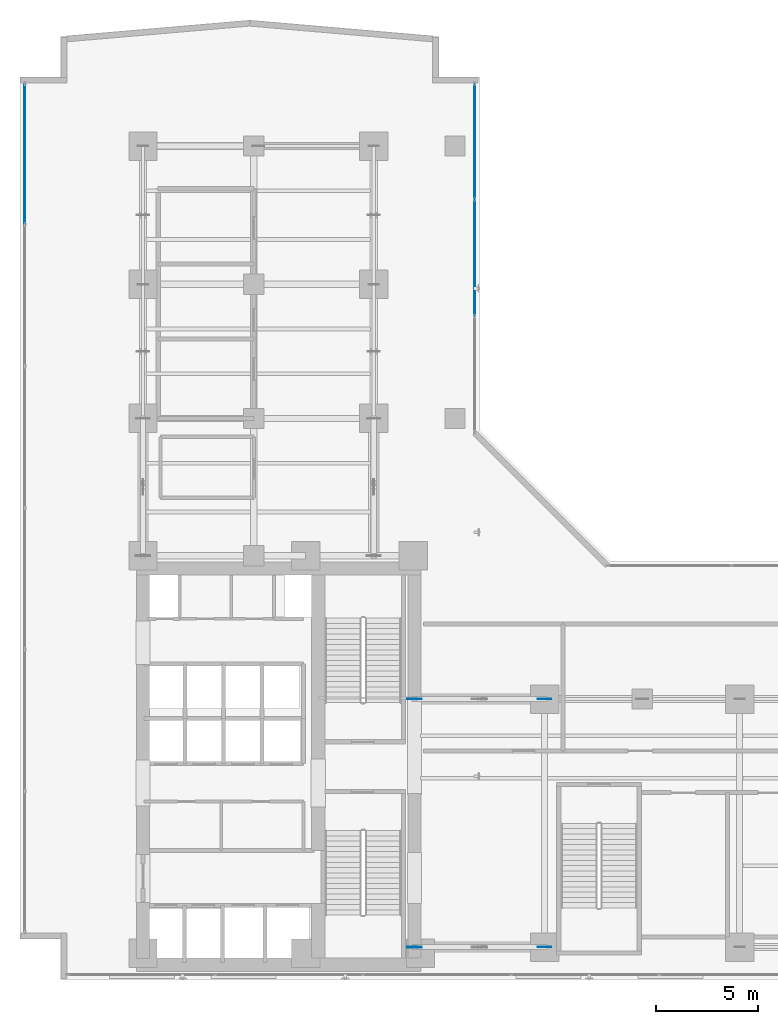
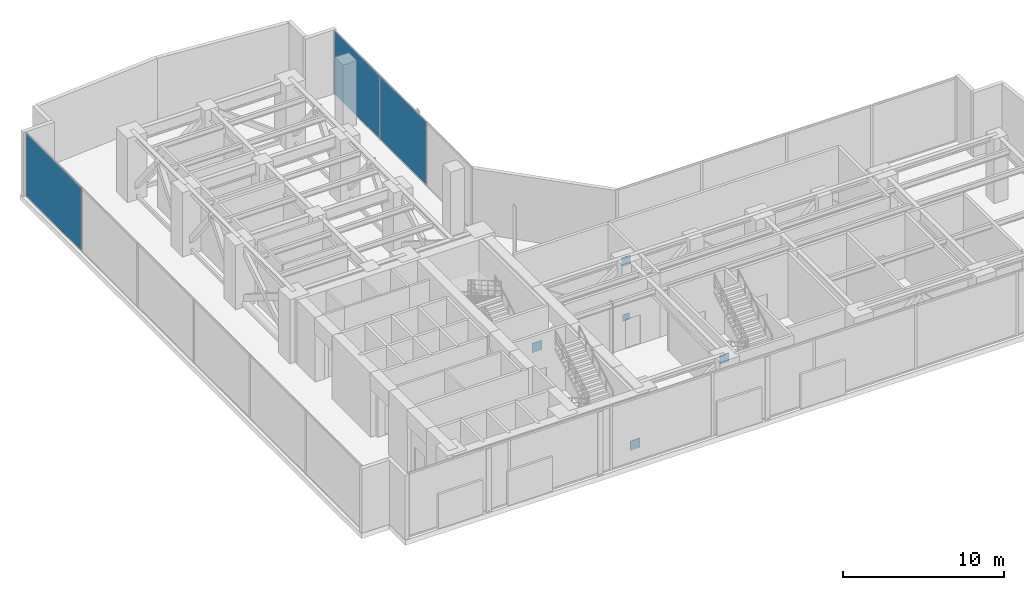
# One storey, part 28 of 37: 8 plates, 2 elements without a shape of their own.
"""IFC4 building model written with IfcOpenShell, lengths in metres."""

import ifcopenshell
import ifcopenshell.guid

model = None  # the IFC model being written
_history = None  # IfcOwnerHistory: only IFC2X3 demands one
_inside = {}  # id of a spatial element -> (the spatial element, [elements in it])
_under = {}  # id of a project, library or spatial element -> (it, [spatial elements below it])
_declared = {}  # id of a project -> (the project, [libraries it declares])
_typed = {}  # id of a type object -> (the type object, [elements of that type])
_made_of = {}  # id of a material, layer set ... -> (it, [elements and type objects made of it])


def new_model(schema):
    """Start an empty IFC model of exactly this schema.

    Asked for "IFC4X3", IfcOpenShell would pick the latest addendum, in which some entities
    have other attributes; the version numbers below select the first issue.
    IFC2X3 requires an IfcOwnerHistory on every rooted entity: one is made here for all.
    """
    global model, _history
    if schema == "IFC4X3":
        model = ifcopenshell.file(schema_version=(4, 3, 0, 0))
    else:
        model = ifcopenshell.file(schema=schema)
    _inside.clear()
    _under.clear()
    _declared.clear()
    _typed.clear()
    _made_of.clear()
    _history = None
    if model.schema == "IFC2X3":
        org = make("IfcOrganization", Name="unknown")
        user = make(
            "IfcPersonAndOrganization",
            ThePerson=make("IfcPerson", FamilyName="unknown"),
            TheOrganization=org,
        )
        app = make(
            "IfcApplication",
            ApplicationDeveloper=org,
            Version="unknown",
            ApplicationFullName="unknown",
            ApplicationIdentifier="unknown",
        )
        _history = make(
            "IfcOwnerHistory",
            OwningUser=user,
            OwningApplication=app,
            ChangeAction="ADDED",
            CreationDate=0,
        )
    return model


def make(cls, **values):
    """One entity of the class cls with the attributes given. An attribute that is None is left unset."""
    return model.create_entity(
        cls, **{name: value for name, value in values.items() if value is not None}
    )


def rooted(cls, **values):
    """An entity with a GlobalId (a new one), such as an element, a storey or a relation."""
    return make(cls, GlobalId=ifcopenshell.guid.new(), OwnerHistory=_history, **values)


def si_unit(unit_type, name, prefix=None):
    """IfcSIUnit, for example si_unit("LENGTHUNIT", "METRE", prefix="MILLI")."""
    return make("IfcSIUnit", UnitType=unit_type, Prefix=prefix, Name=name)


def assignment(units):
    """IfcUnitAssignment: the units of a project."""
    return None if units is None else make("IfcUnitAssignment", Units=units)


def point(xyz):
    """IfcCartesianPoint."""
    return None if xyz is None else make("IfcCartesianPoint", Coordinates=xyz)


def direction(xyz):
    """IfcDirection."""
    return None if xyz is None else make("IfcDirection", DirectionRatios=xyz)


def frame(location, z_axis=None, x_axis=None):
    """IfcAxis2Placement3D, a coordinate frame: its origin and axes. An axis left out is left unset."""
    return make(
        "IfcAxis2Placement3D",
        Location=point(location),
        Axis=direction(z_axis),
        RefDirection=direction(x_axis),
    )


def frame_2d(location, x_axis=None):
    """IfcAxis2Placement2D, a coordinate frame in the plane: its origin and x axis."""
    return make(
        "IfcAxis2Placement2D", Location=point(location), RefDirection=direction(x_axis)
    )


def origin():
    """The frame at (0, 0, 0) with its axes left unset."""
    return frame((0.0, 0.0, 0.0))


def origin_with_axes():
    """The frame at (0, 0, 0) with the z axis (0, 0, 1) and the x axis (1, 0, 0) written out."""
    return frame((0.0, 0.0, 0.0), z_axis=(0.0, 0.0, 1.0), x_axis=(1.0, 0.0, 0.0))


def origin_2d():
    """The frame at (0, 0) in the plane with its x axis left unset."""
    return frame_2d((0.0, 0.0))


def place(relative_to, where):
    """IfcLocalPlacement: puts the frame where relative to a parent placement (None: the world)."""
    return make(
        "IfcLocalPlacement", PlacementRelTo=relative_to, RelativePlacement=where
    )


def context(
    kind, dimensions, precision=None, world=None, true_north=None, identifier=None
):
    """IfcGeometricRepresentationContext, for example the 3D "Model" context."""
    return make(
        "IfcGeometricRepresentationContext",
        ContextIdentifier=identifier,
        ContextType=kind,
        CoordinateSpaceDimension=dimensions,
        Precision=precision,
        WorldCoordinateSystem=world,
        TrueNorth=true_north,
    )


def subcontext(parent, identifier, kind, view, scale=None):
    """IfcGeometricRepresentationSubContext, for example "Body" below "Model"."""
    return make(
        "IfcGeometricRepresentationSubContext",
        ContextIdentifier=identifier,
        ContextType=kind,
        ParentContext=parent,
        TargetScale=scale,
        TargetView=view,
    )


def project(units=None, contexts=None):
    """IfcProject with its units and contexts."""
    return rooted(
        "IfcProject",
        Name="project",
        RepresentationContexts=contexts,
        UnitsInContext=assignment(units),
    )


def spatial(cls, under=None, at=None, **own):
    """A site, building, storey or space (cls), placed at a placement, below another one or the project."""
    s = rooted(cls, ObjectPlacement=at, **own)
    if under is not None:
        _under.setdefault(under.id(), (under, []))[1].append(s)
    return s


def profile(cls, at=None, kind="AREA", **sizes):
    """A parametric profile (cls). Its sizes go by their IFC names, for example OverallWidth=200.0."""
    return make(cls, ProfileType=kind, Position=at, **sizes)


def rectangle(**sizes):
    """IfcRectangleProfileDef."""
    return profile("IfcRectangleProfileDef", **sizes)


def extrude(swept, where, along, depth):
    """IfcExtrudedAreaSolid: the profile swept, set in the frame where, extruded along a direction by depth."""
    return make(
        "IfcExtrudedAreaSolid",
        SweptArea=swept,
        Position=where,
        ExtrudedDirection=direction(along),
        Depth=depth,
    )


def shape(context_of_items, identifier, shape_type, items):
    """IfcShapeRepresentation: the items that make up one representation, for example the "Body"."""
    return make(
        "IfcShapeRepresentation",
        ContextOfItems=context_of_items,
        RepresentationIdentifier=identifier,
        RepresentationType=shape_type,
        Items=items,
    )


def source(mapping_origin, context_of_items, identifier, shape_type, items):
    """IfcRepresentationMap: a shape defined once, which mapped items show again and again."""
    return make(
        "IfcRepresentationMap",
        MappingOrigin=mapping_origin,
        MappedRepresentation=shape(context_of_items, identifier, shape_type, items),
    )


def transform(
    local_origin,
    x_axis=None,
    y_axis=None,
    z_axis=None,
    scale=None,
    scale2=None,
    scale3=None,
    uniform=True,
):
    """IfcCartesianTransformationOperator3D, or its non-uniform kind. x_axis, y_axis, z_axis: its Axis1, 2, 3."""
    if uniform:
        return make(
            "IfcCartesianTransformationOperator3D",
            Axis1=direction(x_axis),
            Axis2=direction(y_axis),
            LocalOrigin=point(local_origin),
            Scale=scale,
            Axis3=direction(z_axis),
        )
    return make(
        "IfcCartesianTransformationOperator3DnonUniform",
        Axis1=direction(x_axis),
        Axis2=direction(y_axis),
        LocalOrigin=point(local_origin),
        Scale=scale,
        Axis3=direction(z_axis),
        Scale2=scale2,
        Scale3=scale3,
    )


def mapped(mapping_source, mapping_target):
    """IfcMappedItem: shows the shape of a source again, moved by a transform."""
    return make(
        "IfcMappedItem", MappingSource=mapping_source, MappingTarget=mapping_target
    )


def material(Name=None, Category=None):
    """IfcMaterial."""
    return make("IfcMaterial", Name=Name, Category=Category)


def layer(
    of_material, thickness, ventilated=None, Name=None, Category=None, Priority=None
):
    """IfcMaterialLayer: one layer of a wall or slab, of a material (None: an air gap)."""
    return make(
        "IfcMaterialLayer",
        Material=of_material,
        LayerThickness=thickness,
        IsVentilated=ventilated,
        Name=Name,
        Category=Category,
        Priority=Priority,
    )


def layer_set(layers, Name=None):
    """IfcMaterialLayerSet."""
    return make("IfcMaterialLayerSet", MaterialLayers=layers, LayerSetName=Name)


def made_of(thing, what):
    """Note that an element or type object is made of a material, layer set ...; save() writes the relation."""
    if what is not None:
        _made_of.setdefault(what.id(), (what, []))[1].append(thing)
    return thing


def type_object(cls, material=None, **own):
    """A type object (cls), such as IfcWallType, which elements share."""
    return made_of(rooted(cls, **own), material)


def element(
    cls,
    number,
    at=None,
    inside=None,
    cuts=None,
    type_object=None,
    material=None,
    context=None,
    identifier="Body",
    shape_type=None,
    held_by="IfcProductDefinitionShape",
    body=None,
    shapes=None,
    **own,
):
    """One element of the class cls, such as IfcWall. Its Tag is "e" and its number.

    at: its placement. inside: the storey or other place that contains it. cuts: it is an
    opening in that element (IfcRelVoidsElement). A single representation is given by context,
    identifier, shape_type and body (its items); several are given by shapes. held_by: the class
    of the entity that holds the representations. save() writes the other relations.
    """
    e = rooted(cls, Tag="e%d" % number, ObjectPlacement=at, **own)
    if body is not None:
        shapes = [shape(context, identifier, shape_type, body)]
    if shapes is not None:
        e.Representation = make(held_by, Representations=shapes)
    if inside is not None:
        _inside.setdefault(inside.id(), (inside, []))[1].append(e)
    if cuts is not None:
        rooted(
            "IfcRelVoidsElement", RelatingBuildingElement=cuts, RelatedOpeningElement=e
        )
    if type_object is not None:
        _typed.setdefault(type_object.id(), (type_object, []))[1].append(e)
    return made_of(e, material)


def aggregate(whole, parts):
    """IfcRelAggregates: a whole, such as a stair, and the parts it consists of."""
    return rooted("IfcRelAggregates", RelatingObject=whole, RelatedObjects=parts)


def save(model, path):
    """Write the relations noted so far, then the file.

    IfcRelAggregates (storeys below a building ...), IfcRelContainedInSpatialStructure (elements
    in a storey), IfcRelDefinesByType, IfcRelAssociatesMaterial and IfcRelDeclares: one each for
    every whole, place, type object, material and project.
    """
    for whole, parts in _under.values():
        aggregate(whole, parts)
    for where, things in _inside.values():
        rooted(
            "IfcRelContainedInSpatialStructure",
            RelatedElements=things,
            RelatingStructure=where,
        )
    for kind, things in _typed.values():
        rooted("IfcRelDefinesByType", RelatedObjects=things, RelatingType=kind)
    for what, things in _made_of.values():
        rooted("IfcRelAssociatesMaterial", RelatedObjects=things, RelatingMaterial=what)
    for by, libraries in _declared.values():
        rooted("IfcRelDeclares", RelatingContext=by, RelatedDefinitions=libraries)
    model.write(path)


model = new_model("IFC4")

# Units and contexts
model_context = context("Model", 3, precision=1e-05, world=origin(), true_north=direction((0.0, 1.0)))
body_context = subcontext(model_context, "Body", "Model", "MODEL_VIEW")
ifc_project = project(units=[si_unit("LENGTHUNIT", "METRE"), si_unit("AREAUNIT", "SQUARE_METRE"), si_unit("VOLUMEUNIT", "CUBIC_METRE"), si_unit("PLANEANGLEUNIT", "RADIAN"), si_unit("MASSUNIT", "GRAM", prefix="KILO")], contexts=[model_context])

# Site, building, storey
site_placement = place(None, origin())
site = spatial("IfcSite", under=ifc_project, at=site_placement, CompositionType="ELEMENT")
building_placement = place(site_placement, origin())
building = spatial("IfcBuilding", under=site, at=building_placement, Name="Kolvaren Waterfront Exchange", CompositionType="ELEMENT")
storey_placement = place(building_placement, frame((0.0, 0.0, 141.10009765625)))
storey = spatial("IfcBuildingStorey", under=building, at=storey_placement, Name="L36", CompositionType="ELEMENT", Elevation=141.10009765625)

# Plates
ifc_material_1 = material(Name="Steel S460", Category="steel")
ifc_layer_1 = layer(ifc_material_1, 0.044921875, Name="Steel S460")
ifc_layer_set_1 = layer_set([ifc_layer_1], Name="Steel S460")
plate_type_1 = type_object("IfcPlateType", Name="STR-PL-ON1", PredefinedType="USERDEFINED", material=ifc_layer_set_1)
shared_shape_1 = source(origin_with_axes(), body_context, "Body", "SweptSolid", [
    extrude(rectangle(XDim=0.699951171875, YDim=0.044921875, at=origin_2d()), origin(), (0.0, 0.0, 1.0), 0.699951171875),
])
for number, where, z_axis, x_axis, name in (
    (1, (20.800048828125, 5.199951171875, -0.10009765625), (0.0, 0.0, 1.0), (1.0, 0.0, 0.0), "L36 outrigger core gusset plate OA1"),
    (2, (20.800048828125, 17.39990234375, -0.10009765625), (0.0, 0.0, 1.0), (1.0, 0.0, 0.0), "L36 outrigger core gusset plate OA2"),
):
    element("IfcPlate", number, at=place(storey_placement, frame(where, z_axis=z_axis, x_axis=x_axis)), inside=storey, type_object=plate_type_1, Name=name, ObjectType="GUSSET PLATE", PredefinedType="USERDEFINED", context=body_context, shape_type="MappedRepresentation", body=[
        mapped(shared_shape_1, transform((0.0, 0.0, 0.0), x_axis=(1.0, 0.0, 0.0), y_axis=(0.0, 1.0, 0.0), z_axis=(0.0, 0.0, 1.0), scale=1.0)),
    ])
ifc_layer_2 = layer(ifc_material_1, 0.031982421875, Name="Steel S460")
ifc_layer_set_2 = layer_set([ifc_layer_2], Name="Steel S460")
plate_type_2 = type_object("IfcPlateType", Name="STR-PL-ON2", PredefinedType="USERDEFINED", material=ifc_layer_set_2)
shared_shape_2 = source(origin_with_axes(), body_context, "Body", "SweptSolid", [
    extrude(rectangle(XDim=0.64990234375, YDim=0.031982421875, at=origin_2d()), origin(), (0.0, 0.0, 1.0), 0.64990234375),
])
for number, where, z_axis, x_axis, name in (
    (3, (27.199951171875, 5.199951171875, 4.18505859375), (0.0, 0.0, 1.0), (1.0, 0.0, 0.0), "L36 outrigger perimeter cap plate OA1"),
    (4, (27.199951171875, 17.39990234375, 4.18505859375), (0.0, 0.0, 1.0), (1.0, 0.0, 0.0), "L36 outrigger perimeter cap plate OA2"),
):
    element("IfcPlate", number, at=place(storey_placement, frame(where, z_axis=z_axis, x_axis=x_axis)), inside=storey, type_object=plate_type_2, Name=name, ObjectType="GUSSET PLATE", PredefinedType="USERDEFINED", context=body_context, shape_type="MappedRepresentation", body=[
        mapped(shared_shape_2, transform((0.0, 0.0, 0.0), x_axis=(1.0, 0.0, 0.0), y_axis=(0.0, 1.0, 0.0), z_axis=(0.0, 0.0, 1.0), scale=1.0)),
    ])
ifc_material_2 = material(Name="Steel S355", Category="steel")
ifc_layer_3 = layer(ifc_material_2, 0.02490234375, Name="Steel S355")
ifc_layer_set_3 = layer_set([ifc_layer_3], Name="Steel S355")
plate_type_3 = type_object("IfcPlateType", Name="STR-PL-BN2", PredefinedType="SHEET", material=ifc_layer_set_3)
shared_shape_3 = source(origin_with_axes(), body_context, "Body", "SweptSolid", [
    extrude(rectangle(XDim=0.5, YDim=0.02490234375, at=origin_2d()), origin(), (0.0, 0.0, 1.0), 0.5),
])
plate_1_placement = place(storey_placement, frame((27.199951171875, 17.39990234375, 0.0), z_axis=(0.0, 0.0, 1.0), x_axis=(1.0, 0.0, 0.0)))
element("IfcPlate", 5, at=plate_1_placement, inside=storey, type_object=plate_type_3, Name="L36 belt-truss end cap plate BT1.1", PredefinedType="SHEET", context=body_context, shape_type="MappedRepresentation", body=[
    mapped(shared_shape_3, transform((0.0, 0.0, 0.0), x_axis=(1.0, 0.0, 0.0), y_axis=(0.0, 1.0, 0.0), z_axis=(0.0, 0.0, 1.0), scale=1.0)),
])

# Curtain wall, plate
ifc_material_3 = material(Name="Anodised dark bronze spandrel aluminium", Category="aluminium")
ifc_layer_4 = layer(ifc_material_3, 0.219970703125, Name="Anodised dark bronze spandrel aluminium")
ifc_layer_set_4 = layer_set([ifc_layer_4], Name="Anodised dark bronze spandrel aluminium")
curtain_wall_type = type_object("IfcCurtainWallType", Name="ARC-CW-SYS6", PredefinedType="USERDEFINED", material=ifc_layer_set_4)
curtain_wall_1_placement = place(storey_placement, origin())
curtain_wall_1 = element("IfcCurtainWall", 6, at=curtain_wall_1_placement, inside=storey, type_object=curtain_wall_type, Name="L36 stick curtain wall CW6 (CW-L36-W)", ObjectType="STICK CURTAIN WALL", PredefinedType="USERDEFINED")
ifc_layer_5 = layer(ifc_material_3, 0.0419921875, Name="Anodised dark bronze spandrel aluminium")
ifc_layer_set_5 = layer_set([ifc_layer_5], Name="Anodised dark bronze spandrel aluminium")
plate_type_4 = type_object("IfcPlateType", Name="ARC-CWP-42", PredefinedType="CURTAIN_PANEL", material=ifc_layer_set_5)
shared_shape_4 = source(origin_with_axes(), body_context, "Body", "SweptSolid", [
    extrude(rectangle(XDim=6.854248046875, YDim=0.0419921875, at=origin_2d()), origin(), (0.0, 0.0, 1.0), 4.72998046875),
])
plate_2_placement = place(storey_placement, frame((1.639892578125, 44.197998046875, 0.06494140625), z_axis=(0.0, 0.0, 1.0), x_axis=(0.0, 1.0, 0.0)))
plate_2 = element("IfcPlate", 7, at=plate_2_placement, type_object=plate_type_4, Name="CW6 panel 6.1", PredefinedType="CURTAIN_PANEL", context=body_context, shape_type="MappedRepresentation", body=[
    mapped(shared_shape_4, transform((0.0, 0.0, 0.0), x_axis=(1.0, 0.0, 0.0), y_axis=(0.0, 1.0, 0.0), z_axis=(0.0, 0.0, 1.0), scale=1.0)),
])
aggregate(curtain_wall_1, [plate_2])

# Curtain wall, plates
curtain_wall_2_placement = place(storey_placement, origin())
curtain_wall_2 = element("IfcCurtainWall", 8, at=curtain_wall_2_placement, inside=storey, type_object=curtain_wall_type, Name="L36 stick curtain wall CW6 (CW-L36-NE)", ObjectType="STICK CURTAIN WALL", PredefinedType="USERDEFINED")
shared_shape_5 = source(origin_with_axes(), body_context, "Body", "SweptSolid", [
    extrude(rectangle(XDim=5.624267578125, YDim=0.0419921875, at=origin_2d()), origin(), (0.0, 0.0, 1.0), 4.72998046875),
])
plate_3_placement = place(storey_placement, frame((23.760009765625, 44.81298828125, 0.06494140625), z_axis=(0.0, 0.0, 1.0), x_axis=(0.0, 1.0, 0.0)))
plate_3 = element("IfcPlate", 9, at=plate_3_placement, type_object=plate_type_4, Name="CW6 panel 3.1", PredefinedType="CURTAIN_PANEL", context=body_context, shape_type="MappedRepresentation", body=[
    mapped(shared_shape_5, transform((0.0, 0.0, 0.0), x_axis=(1.0, 0.0, 0.0), y_axis=(0.0, 1.0, 0.0), z_axis=(0.0, 0.0, 1.0), scale=1.0)),
])
shared_shape_6 = source(origin_with_axes(), body_context, "Body", "SweptSolid", [
    extrude(rectangle(XDim=5.66162109375, YDim=0.0419921875, at=origin_2d()), origin(), (0.0, 0.0, 1.0), 4.72998046875),
])
plate_4_placement = place(storey_placement, frame((23.760009765625, 39.094970703125, 0.06494140625), z_axis=(0.0, 0.0, 1.0), x_axis=(0.0, 1.0, 0.0)))
plate_4 = element("IfcPlate", 10, at=plate_4_placement, type_object=plate_type_4, Name="CW6 panel 2.1", PredefinedType="CURTAIN_PANEL", context=body_context, shape_type="MappedRepresentation", body=[
    mapped(shared_shape_6, transform((0.0, 0.0, 0.0), x_axis=(1.0, 0.0, 0.0), y_axis=(0.0, 1.0, 0.0), z_axis=(0.0, 0.0, 1.0), scale=1.0)),
])
aggregate(curtain_wall_2, [plate_4, plate_3])

save(model, "model.ifc")
